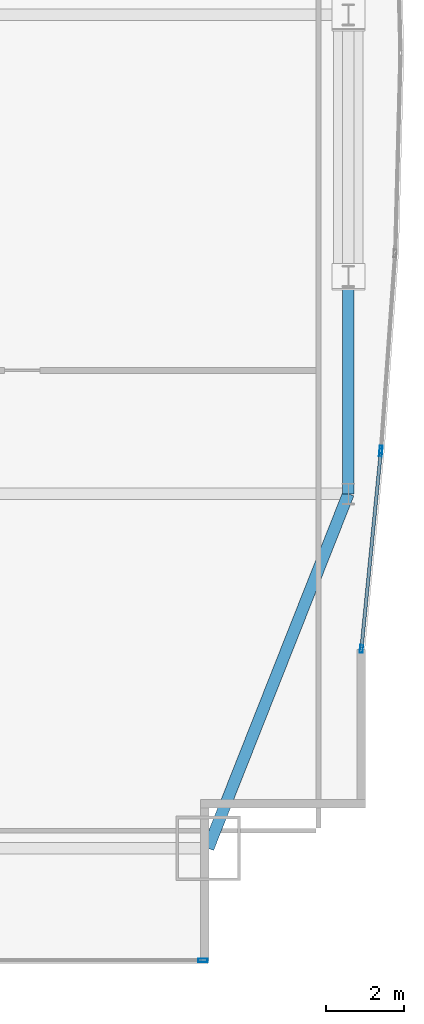
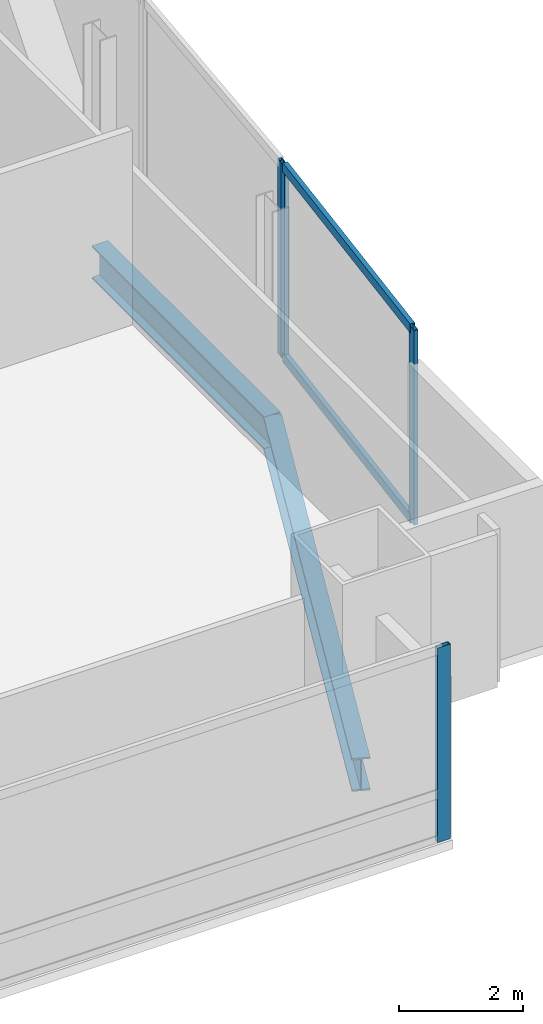
# One storey, part 21 of 33: 6 members, 2 beams, 3 elements without a shape of their own.
"""IFC4 building model written with IfcOpenShell, lengths in metres."""

from ifc_helpers import new_model, si_unit, direction, frame, origin, origin_2d, place, context, subcontext, project, spatial, hollow_rectangle, i_section, extrude, material, material_profile, profile_set, type_object, element, aggregate, save


model = new_model("IFC4")

# Units and contexts
model_context = context("Model", 3, precision=1e-05, world=origin(), true_north=direction((0.0, 1.0)))
body_context = subcontext(model_context, "Body", "Model", "MODEL_VIEW")
ifc_project = project(units=[si_unit("LENGTHUNIT", "METRE"), si_unit("AREAUNIT", "SQUARE_METRE"), si_unit("VOLUMEUNIT", "CUBIC_METRE"), si_unit("PLANEANGLEUNIT", "RADIAN"), si_unit("MASSUNIT", "GRAM", prefix="KILO")], contexts=[model_context])

# Site, building, storey
site_placement = place(None, origin())
site = spatial("IfcSite", under=ifc_project, at=site_placement, CompositionType="ELEMENT")
building_placement = place(site_placement, origin())
building = spatial("IfcBuilding", under=site, at=building_placement, Name="Khoronbel Lancet Exchange", CompositionType="ELEMENT")
storey_placement = place(building_placement, frame((0.0, 0.0, 73.800048828125)))
storey = spatial("IfcBuildingStorey", under=building, at=storey_placement, Name="L17", CompositionType="ELEMENT", Elevation=73.800048828125)

# Beams
ifc_material_1 = material(Name="Steel S355", Category="steel")
ifc_material_profile_1 = material_profile(ifc_material_1, i_section(OverallWidth=0.300048828125, OverallDepth=0.64990234375, WebThickness=0.01611328125, FlangeThickness=0.031005859375, at=origin_2d()), Name="HEB 650")
ifc_profile_set_1 = profile_set([ifc_material_profile_1], Name="Steel S355")
beam_type = type_object("IfcBeamType", Name="BM-BSP1", PredefinedType="SPANDREL", material=ifc_profile_set_1)
beam_1_placement = place(storey_placement, frame((68.050048828125, 10.14990234375, -0.505126953125), z_axis=(0.367828403855, 0.929893684954, 0.0), x_axis=(-0.929893684954, 0.367828403855, 0.0)))
element("IfcBeam", 1, at=beam_1_placement, inside=storey, type_object=beam_type, Name="Level L17 perimeter spandrel beam SP10", PredefinedType="SPANDREL", context=body_context, shape_type="SweptSolid", body=[
    extrude(i_section(OverallWidth=0.300048828125, OverallDepth=0.64990234375, WebThickness=0.01611328125, FlangeThickness=0.031005859375, at=origin_2d()), origin(), (0.0, 0.0, 1.0), 9.732421875),
])
beam_2_placement = place(storey_placement, frame((71.6298828125, 19.199951171875, -0.505126953125), z_axis=(0.0, 1.0, 0.0), x_axis=(-1.0, 0.0, 0.0)))
element("IfcBeam", 2, at=beam_2_placement, inside=storey, type_object=beam_type, Name="Level L17 perimeter spandrel beam SP11", PredefinedType="SPANDREL", context=body_context, shape_type="SweptSolid", body=[
    extrude(i_section(OverallWidth=0.300048828125, OverallDepth=0.64990234375, WebThickness=0.01611328125, FlangeThickness=0.031005859375, at=origin_2d()), origin(), (0.0, 0.0, 1.0), 5.550048828125),
])

# Curtain wall, member
ifc_material_2 = material(Name="Low-E Solar Control Insulating Glass", Category="glass")
curtain_wall_type_1 = type_object("IfcCurtainWallType", Name="CW-1", PredefinedType="NOTDEFINED", material=ifc_material_2)
curtain_wall_1_placement = place(storey_placement, origin())
curtain_wall_1 = element("IfcCurtainWall", 3, at=curtain_wall_1_placement, inside=storey, type_object=curtain_wall_type_1, Name="Unitised curtain wall CW-L17-SEV", PredefinedType="NOTDEFINED")
ifc_material_3 = material(Name="Bronze-Anodised Aluminium 6063-T6", Category="aluminium")
ifc_material_profile_2 = material_profile(ifc_material_3, hollow_rectangle(XDim=0.0849609375, YDim=0.239990234375, WallThickness=0.006103515625, at=origin_2d()), Name="ALU MULLION 85x240")
ifc_profile_set_2 = profile_set([ifc_material_profile_2], Name="Bronze-Anodised Aluminium 6063-T6")
member_type_1 = type_object("IfcMemberType", Name="MEM-CWM1", PredefinedType="MULLION", material=ifc_profile_set_2)
member_1_placement = place(storey_placement, frame((67.91748046875, 7.2900390625, 0.0), z_axis=(0.0, 0.0, 1.0), x_axis=(0.0, 1.0, 0.0)))
member_1 = element("IfcMember", 4, at=member_1_placement, type_object=member_type_1, Name="CW1 mullion 2", PredefinedType="MULLION", context=body_context, shape_type="SweptSolid", body=[
    extrude(hollow_rectangle(XDim=0.0849609375, YDim=0.239990234375, WallThickness=0.006103515625, at=origin_2d()), origin(), (0.0, 0.0, 1.0), 3.820068359375),
])
aggregate(curtain_wall_1, [member_1])

curtain_wall_type_2 = type_object("IfcCurtainWallType", Name="CW-4", PredefinedType="NOTDEFINED", material=ifc_material_2)
curtain_wall_2_placement = place(storey_placement, origin())
curtain_wall_2 = element("IfcCurtainWall", 5, at=curtain_wall_2_placement, inside=storey, type_object=curtain_wall_type_2, Name="Unitised curtain wall CW-L17-E21", PredefinedType="NOTDEFINED")
ifc_material_profile_3 = material_profile(ifc_material_3, hollow_rectangle(XDim=0.074951171875, YDim=0.199951171875, WallThickness=0.0048828125, at=origin_2d()), Name="ALU MULLION 75x200")
ifc_profile_set_3 = profile_set([ifc_material_profile_3], Name="Bronze-Anodised Aluminium 6063-T6")
member_type_2 = type_object("IfcMemberType", Name="MEM-CWM2", PredefinedType="MULLION", material=ifc_profile_set_3)
member_2_placement = place(storey_placement, frame((72.462890625, 20.328369140625, 0.0), z_axis=(0.0, 0.0, 1.0), x_axis=(0.997417674327, -0.071819098708, 0.0)))
member_2 = element("IfcMember", 6, at=member_2_placement, type_object=member_type_2, Name="CW4 mullion 2", PredefinedType="MULLION", context=body_context, shape_type="SweptSolid", body=[
    extrude(hollow_rectangle(XDim=0.074951171875, YDim=0.199951171875, WallThickness=0.0048828125, at=origin_2d()), origin(), (0.0, 0.0, 1.0), 3.820068359375),
])
aggregate(curtain_wall_2, [member_2])

# Curtain wall, members
curtain_wall_3_placement = place(storey_placement, origin())
curtain_wall_3 = element("IfcCurtainWall", 7, at=curtain_wall_3_placement, inside=storey, type_object=curtain_wall_type_2, Name="Unitised curtain wall CW-L17-E22", PredefinedType="NOTDEFINED")
member_3_placement = place(storey_placement, frame((72.45654296875, 20.253662109375, 0.0), z_axis=(0.0, 0.0, 1.0), x_axis=(0.995197629598, -0.09788604621, 0.0)))
member_3 = element("IfcMember", 8, at=member_3_placement, type_object=member_type_2, Name="CW4 mullion 1", PredefinedType="MULLION", context=body_context, shape_type="SweptSolid", body=[
    extrude(hollow_rectangle(XDim=0.074951171875, YDim=0.199951171875, WallThickness=0.0048828125, at=origin_2d()), origin(), (0.0, 0.0, 1.0), 3.820068359375),
])
member_4_placement = place(storey_placement, frame((71.963623046875, 15.24169921875, 0.0), z_axis=(0.0, 0.0, 1.0), x_axis=(0.995197629598, -0.09788604621, 0.0)))
member_4 = element("IfcMember", 9, at=member_4_placement, type_object=member_type_2, Name="CW4 mullion 2", PredefinedType="MULLION", context=body_context, shape_type="SweptSolid", body=[
    extrude(hollow_rectangle(XDim=0.074951171875, YDim=0.199951171875, WallThickness=0.0048828125, at=origin_2d()), origin(), (0.0, 0.0, 1.0), 3.820068359375),
])
ifc_material_profile_4 = material_profile(ifc_material_3, hollow_rectangle(XDim=0.0849609375, YDim=0.179931640625, WallThickness=0.0048828125, at=origin_2d()), Name="ALU TRANSOM 85x180")
ifc_profile_set_4 = profile_set([ifc_material_profile_4], Name="Bronze-Anodised Aluminium 6063-T6")
member_type_3 = type_object("IfcMemberType", Name="MEM-CWT1", PredefinedType="USERDEFINED", material=ifc_profile_set_4)
member_5_placement = place(storey_placement, frame((72.452880859375, 20.21630859375, 0.04248046875), z_axis=(-0.097881078823, -0.99519811817, 0.0), x_axis=(0.99519811817, -0.097881078823, 0.0)))
member_5 = element("IfcMember", 10, at=member_5_placement, type_object=member_type_3, Name="CW4 transom 1.1", ObjectType="TRANSOM", PredefinedType="USERDEFINED", context=body_context, shape_type="SweptSolid", body=[
    extrude(hollow_rectangle(XDim=0.0849609375, YDim=0.179931640625, WallThickness=0.0048828125, at=origin_2d()), origin(), (0.0, 0.0, 1.0), 4.961181640625),
])
member_6_placement = place(storey_placement, frame((72.452880859375, 20.21630859375, 3.77734375), z_axis=(-0.097881078823, -0.99519811817, 0.0), x_axis=(0.99519811817, -0.097881078823, 0.0)))
member_6 = element("IfcMember", 11, at=member_6_placement, type_object=member_type_3, Name="CW4 transom 1.2", ObjectType="TRANSOM", PredefinedType="USERDEFINED", context=body_context, shape_type="SweptSolid", body=[
    extrude(hollow_rectangle(XDim=0.0849609375, YDim=0.179931640625, WallThickness=0.0048828125, at=origin_2d()), origin(), (0.0, 0.0, 1.0), 4.961181640625),
])
aggregate(curtain_wall_3, [member_3, member_4, member_5, member_6])

save(model, "model.ifc")
